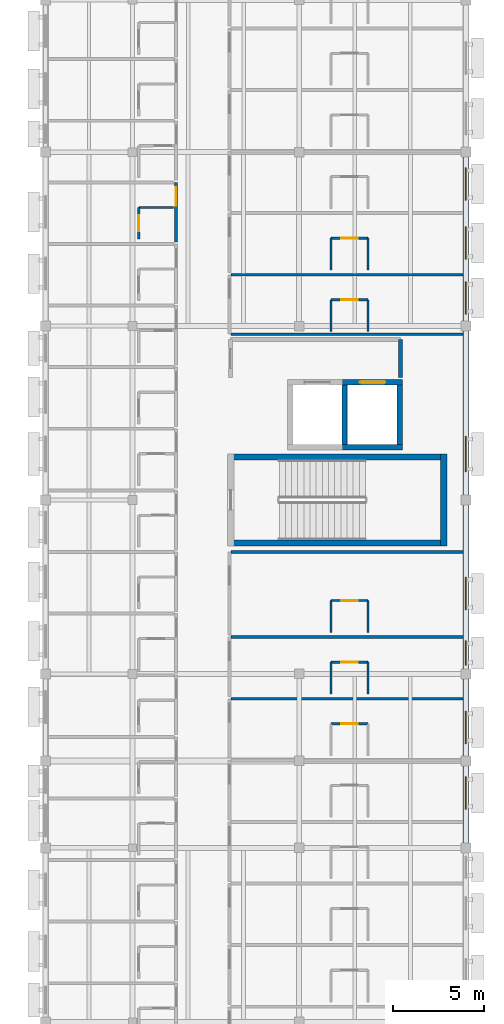
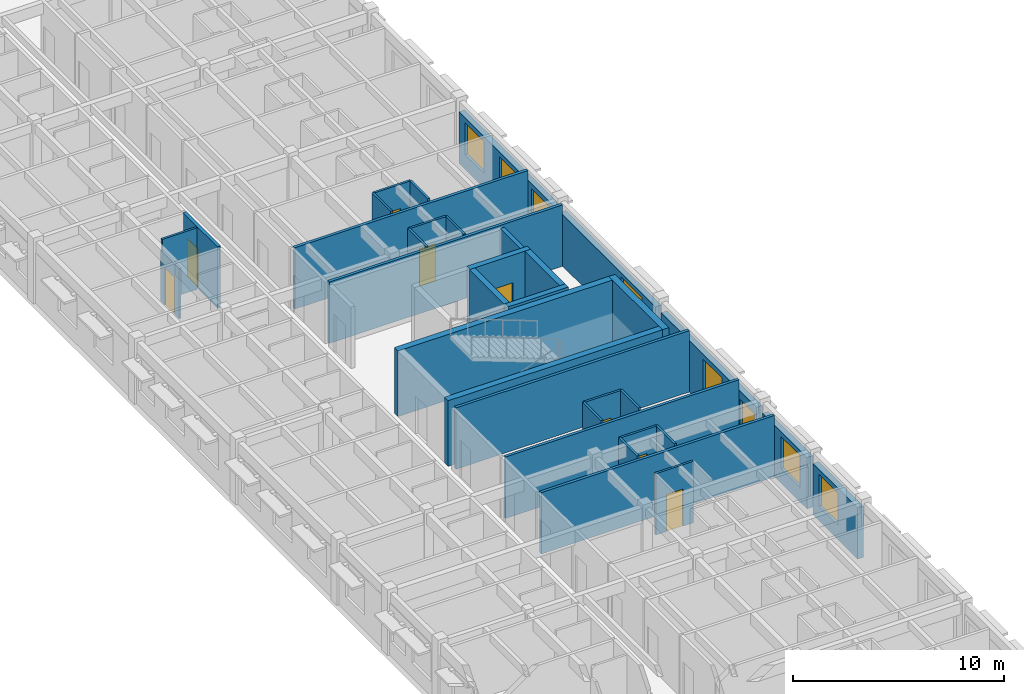
# One storey, part 29 of 40: 34 walls, 8 doors, 8 windows, 16 openings.
"""IFC4 building model written with IfcOpenShell, lengths in metres."""

from ifc_helpers import new_model, si_unit, direction, frame, frame_2d, origin, place, context, subcontext, project, spatial, rectangle, extrude, material, layer, layer_set, type_object, element, fill, save


model = new_model("IFC4")

# Units and contexts
model_context = context("Model", 3, precision=1e-05, world=origin(), true_north=direction((0.0, 1.0)))
body_context = subcontext(model_context, "Body", "Model", "MODEL_VIEW")
ifc_project = project(units=[si_unit("LENGTHUNIT", "METRE"), si_unit("AREAUNIT", "SQUARE_METRE"), si_unit("VOLUMEUNIT", "CUBIC_METRE"), si_unit("PLANEANGLEUNIT", "RADIAN"), si_unit("MASSUNIT", "GRAM", prefix="KILO")], contexts=[model_context])

# Site, building, storey
site_placement = place(None, origin())
site = spatial("IfcSite", under=ifc_project, at=site_placement, CompositionType="ELEMENT")
building_placement = place(site_placement, origin())
building = spatial("IfcBuilding", under=site, at=building_placement, Name="Veldera Park Congress Hotel", CompositionType="ELEMENT")
storey_placement = place(building_placement, frame((0.0, 0.0, 16.199951171875)))
storey = spatial("IfcBuildingStorey", under=building, at=storey_placement, Name="L03", CompositionType="ELEMENT", Elevation=16.199951171875)

# Wall, opening, window
ifc_material_1 = material(Name="Cross-laminated timber CLT V2M1.1", Category="wood")
ifc_layer_1 = layer(ifc_material_1, 0.320068359375)
ifc_layer_set_1 = layer_set([ifc_layer_1], Name="Cross-laminated timber CLT V2M1.1")
wall_type_1 = type_object("IfcWallType", Name="EW-CLT320", PredefinedType="STANDARD", material=ifc_layer_set_1)
wall_1_placement = place(storey_placement, frame((84.0, -27.922119140625, 0.0), z_axis=(0.0, 0.0, 1.0), x_axis=(0.0, 1.0, 0.0)))
wall_1 = element("IfcWall", 1, at=wall_1_placement, inside=storey, type_object=wall_type_1, Name="L03 Exterior Wall EW3-L03-0213", PredefinedType="STANDARD", context=body_context, shape_type="SweptSolid", body=[
    extrude(rectangle(XDim=4.244140625, YDim=0.320068359375, at=frame_2d((2.1220703125, 0.0))), origin(), (0.0, 0.0, 1.0), 2.97509765625),
])
opening_1_placement = place(wall_1_placement, frame((1.85791015625, 0.0, 0.85009765625)))
opening_1 = element("IfcOpeningElement", 2, at=opening_1_placement, cuts=wall_1, Name="Opening WIN-1800", PredefinedType="OPENING", context=body_context, shape_type="SweptSolid", body=[
    extrude(rectangle(XDim=1.800048828125, YDim=1.85009765625, at=frame_2d((0.89990234375, 0.925048828125))), frame((0.0, 0.172119140625, 0.0), z_axis=(0.0, -1.0, 0.0), x_axis=(1.0, 0.0, 0.0)), (0.0, 0.0, 1.0), 0.343994140625),
])
ifc_material_2 = material(Name="Low-E Triple Insulating Glass Unit (SHGC 0.22)", Category="glass")
window_type_1 = type_object("IfcWindowType", Name="WIN-1800", PartitioningType="SINGLE_PANEL", PredefinedType="WINDOW", material=ifc_material_2)
window_1_placement = place(opening_1_placement, origin())
window_1 = element("IfcWindow", 3, at=window_1_placement, inside=storey, type_object=window_type_1, Name="L03 Window WIN-1800 424", OverallHeight=1.85009765625, OverallWidth=1.800048828125, PartitioningType="SINGLE_PANEL", PredefinedType="WINDOW", context=body_context, shape_type="SweptSolid", body=[
    extrude(rectangle(XDim=1.800048828125, YDim=1.85009765625, at=frame_2d((0.89990234375, 0.925048828125))), frame((0.0, 0.030029296875, 0.0), z_axis=(0.0, -1.0, 0.0), x_axis=(1.0, 0.0, 0.0)), (0.0, 0.0, 1.0), 0.06005859375),
])
fill(opening_1, window_1)

wall_2_placement = place(storey_placement, frame((84.0, -23.1220703125, 0.0), z_axis=(0.0, 0.0, 1.0), x_axis=(0.0, 1.0, 0.0)))
wall_2 = element("IfcWall", 4, at=wall_2_placement, inside=storey, type_object=wall_type_1, Name="L03 Exterior Wall EW3-L03-0214", PredefinedType="STANDARD", context=body_context, shape_type="SweptSolid", body=[
    extrude(rectangle(XDim=4.244140625, YDim=0.320068359375, at=frame_2d((2.1220703125, 0.0))), origin(), (0.0, 0.0, 1.0), 2.97509765625),
])
opening_2_placement = place(wall_2_placement, frame((0.676025390625, 0.0, 0.85009765625)))
opening_2 = element("IfcOpeningElement", 5, at=opening_2_placement, cuts=wall_2, Name="Opening WIN-1800", PredefinedType="OPENING", context=body_context, shape_type="SweptSolid", body=[
    extrude(rectangle(XDim=1.800048828125, YDim=1.85009765625, at=frame_2d((0.89990234375, 0.925048828125))), frame((0.0, 0.172119140625, 0.0), z_axis=(0.0, -1.0, 0.0), x_axis=(1.0, 0.0, 0.0)), (0.0, 0.0, 1.0), 0.343994140625),
])
window_2_placement = place(opening_2_placement, origin())
window_2 = element("IfcWindow", 6, at=window_2_placement, inside=storey, type_object=window_type_1, Name="L03 Window WIN-1800 425", OverallHeight=1.85009765625, OverallWidth=1.800048828125, PartitioningType="SINGLE_PANEL", PredefinedType="WINDOW", context=body_context, shape_type="SweptSolid", body=[
    extrude(rectangle(XDim=1.800048828125, YDim=1.85009765625, at=frame_2d((0.89990234375, 0.925048828125))), frame((0.0, 0.030029296875, 0.0), z_axis=(0.0, -1.0, 0.0), x_axis=(1.0, 0.0, 0.0)), (0.0, 0.0, 1.0), 0.06005859375),
])
fill(opening_2, window_2)

# Wall, openings, windows
wall_3_placement = place(storey_placement, frame((84.0, -18.322021484375, 0.0), z_axis=(0.0, 0.0, 1.0), x_axis=(0.0, 1.0, 0.0)))
wall_3 = element("IfcWall", 7, at=wall_3_placement, inside=storey, type_object=wall_type_1, Name="L03 Exterior Wall EW3-L03-0215", PredefinedType="STANDARD", context=body_context, shape_type="SweptSolid", body=[
    extrude(rectangle(XDim=9.0439453125, YDim=0.320068359375, at=frame_2d((4.52197265625, 0.0))), origin(), (0.0, 0.0, 1.0), 2.97509765625),
])
opening_3_placement = place(wall_3_placement, frame((0.200927734375, 0.0, 0.85009765625)))
opening_3 = element("IfcOpeningElement", 8, at=opening_3_placement, cuts=wall_3, Name="Opening WIN-1350", PredefinedType="OPENING", context=body_context, shape_type="SweptSolid", body=[
    extrude(rectangle(XDim=1.35009765625, YDim=1.64990234375, at=frame_2d((0.675048828125, 0.824951171875))), frame((0.0, 0.172119140625, 0.0), z_axis=(0.0, -1.0, 0.0), x_axis=(1.0, 0.0, 0.0)), (0.0, 0.0, 1.0), 0.343994140625),
])
opening_4_placement = place(wall_3_placement, frame((3.261962890625, 0.0, 0.85009765625)))
opening_4 = element("IfcOpeningElement", 9, at=opening_4_placement, cuts=wall_3, Name="Opening WIN-1800", PredefinedType="OPENING", context=body_context, shape_type="SweptSolid", body=[
    extrude(rectangle(XDim=1.800048828125, YDim=1.85009765625, at=frame_2d((0.89990234375, 0.925048828125))), frame((0.0, 0.172119140625, 0.0), z_axis=(0.0, -1.0, 0.0), x_axis=(1.0, 0.0, 0.0)), (0.0, 0.0, 1.0), 0.343994140625),
])
window_type_2 = type_object("IfcWindowType", Name="WIN-1350", PartitioningType="SINGLE_PANEL", PredefinedType="WINDOW", material=ifc_material_2)
window_3_placement = place(opening_3_placement, origin())
window_3 = element("IfcWindow", 10, at=window_3_placement, inside=storey, type_object=window_type_2, Name="L03 Window WIN-1350 426", OverallHeight=1.64990234375, OverallWidth=1.35009765625, PartitioningType="SINGLE_PANEL", PredefinedType="WINDOW", context=body_context, shape_type="SweptSolid", body=[
    extrude(rectangle(XDim=1.35009765625, YDim=1.64990234375, at=frame_2d((0.675048828125, 0.824951171875))), frame((0.0, 0.030029296875, 0.0), z_axis=(0.0, -1.0, 0.0), x_axis=(1.0, 0.0, 0.0)), (0.0, 0.0, 1.0), 0.06005859375),
])
fill(opening_3, window_3)
window_4_placement = place(opening_4_placement, origin())
window_4 = element("IfcWindow", 11, at=window_4_placement, inside=storey, type_object=window_type_1, Name="L03 Window WIN-1800 427", OverallHeight=1.85009765625, OverallWidth=1.800048828125, PartitioningType="SINGLE_PANEL", PredefinedType="WINDOW", context=body_context, shape_type="SweptSolid", body=[
    extrude(rectangle(XDim=1.800048828125, YDim=1.85009765625, at=frame_2d((0.89990234375, 0.925048828125))), frame((0.0, 0.030029296875, 0.0), z_axis=(0.0, -1.0, 0.0), x_axis=(1.0, 0.0, 0.0)), (0.0, 0.0, 1.0), 0.06005859375),
])
fill(opening_4, window_4)

# Wall, opening, window
wall_4_placement = place(storey_placement, frame((84.0, -8.721923828125, 0.0), z_axis=(0.0, 0.0, 1.0), x_axis=(0.0, 1.0, 0.0)))
wall_4 = element("IfcWall", 12, at=wall_4_placement, inside=storey, type_object=wall_type_1, Name="L03 Exterior Wall EW3-L03-0216", PredefinedType="STANDARD", context=body_context, shape_type="SweptSolid", body=[
    extrude(rectangle(XDim=9.0439453125, YDim=0.320068359375, at=frame_2d((4.52197265625, 0.0))), origin(), (0.0, 0.0, 1.0), 2.97509765625),
])
opening_5_placement = place(wall_4_placement, frame((1.285888671875, 0.0, 0.85009765625)))
opening_5 = element("IfcOpeningElement", 13, at=opening_5_placement, cuts=wall_4, Name="Opening WIN-1950", PredefinedType="OPENING", context=body_context, shape_type="SweptSolid", body=[
    extrude(rectangle(XDim=1.949951171875, YDim=1.89990234375, at=frame_2d((0.97509765625, 0.949951171875))), frame((0.0, 0.172119140625, 0.0), z_axis=(0.0, -1.0, 0.0), x_axis=(1.0, 0.0, 0.0)), (0.0, 0.0, 1.0), 0.343994140625),
])
window_type_3 = type_object("IfcWindowType", Name="WIN-1950", PartitioningType="DOUBLE_PANEL_VERTICAL", PredefinedType="WINDOW", material=ifc_material_2)
window_5_placement = place(opening_5_placement, origin())
window_5 = element("IfcWindow", 14, at=window_5_placement, inside=storey, type_object=window_type_3, Name="L03 Window WIN-1950 188", OverallHeight=1.89990234375, OverallWidth=1.949951171875, PartitioningType="DOUBLE_PANEL_VERTICAL", PredefinedType="WINDOW", context=body_context, shape_type="SweptSolid", body=[
    extrude(rectangle(XDim=1.949951171875, YDim=1.89990234375, at=frame_2d((0.97509765625, 0.949951171875))), frame((0.0, 0.030029296875, 0.0), z_axis=(0.0, -1.0, 0.0), x_axis=(1.0, 0.0, 0.0)), (0.0, 0.0, 1.0), 0.06005859375),
])
fill(opening_5, window_5)

# Wall, openings, windows
wall_5_placement = place(storey_placement, frame((84.0, 0.8779296875, 0.0), z_axis=(0.0, 0.0, 1.0), x_axis=(0.0, 1.0, 0.0)))
wall_5 = element("IfcWall", 15, at=wall_5_placement, inside=storey, type_object=wall_type_1, Name="L03 Exterior Wall EW3-L03-0217", PredefinedType="STANDARD", context=body_context, shape_type="SweptSolid", body=[
    extrude(rectangle(XDim=9.044189453125, YDim=0.320068359375, at=frame_2d((4.52197265625, 0.0))), origin(), (0.0, 0.0, 1.0), 2.97509765625),
])
opening_6_placement = place(wall_5_placement, frame((0.3759765625, 0.0, 0.85009765625)))
opening_6 = element("IfcOpeningElement", 16, at=opening_6_placement, cuts=wall_5, Name="Opening WIN-1800", PredefinedType="OPENING", context=body_context, shape_type="SweptSolid", body=[
    extrude(rectangle(XDim=1.800048828125, YDim=1.85009765625, at=frame_2d((0.89990234375, 0.925048828125))), frame((0.0, 0.172119140625, 0.0), z_axis=(0.0, -1.0, 0.0), x_axis=(1.0, 0.0, 0.0)), (0.0, 0.0, 1.0), 0.343994140625),
])
opening_7_placement = place(wall_5_placement, frame((3.412109375, 0.0, 0.85009765625)))
opening_7 = element("IfcOpeningElement", 17, at=opening_7_placement, cuts=wall_5, Name="Opening WIN-1800", PredefinedType="OPENING", context=body_context, shape_type="SweptSolid", body=[
    extrude(rectangle(XDim=1.800048828125, YDim=1.85009765625, at=frame_2d((0.89990234375, 0.925048828125))), frame((0.0, 0.172119140625, 0.0), z_axis=(0.0, -1.0, 0.0), x_axis=(1.0, 0.0, 0.0)), (0.0, 0.0, 1.0), 0.343994140625),
])
opening_8_placement = place(wall_5_placement, frame((6.657958984375, 0.0, 0.85009765625)))
opening_8 = element("IfcOpeningElement", 18, at=opening_8_placement, cuts=wall_5, Name="Opening WIN-1800", PredefinedType="OPENING", context=body_context, shape_type="SweptSolid", body=[
    extrude(rectangle(XDim=1.800048828125, YDim=1.85009765625, at=frame_2d((0.89990234375, 0.925048828125))), frame((0.0, 0.172119140625, 0.0), z_axis=(0.0, -1.0, 0.0), x_axis=(1.0, 0.0, 0.0)), (0.0, 0.0, 1.0), 0.343994140625),
])
window_6_placement = place(opening_6_placement, origin())
window_6 = element("IfcWindow", 19, at=window_6_placement, inside=storey, type_object=window_type_1, Name="L03 Window WIN-1800 428", OverallHeight=1.85009765625, OverallWidth=1.800048828125, PartitioningType="SINGLE_PANEL", PredefinedType="WINDOW", context=body_context, shape_type="SweptSolid", body=[
    extrude(rectangle(XDim=1.800048828125, YDim=1.85009765625, at=frame_2d((0.89990234375, 0.925048828125))), frame((0.0, 0.030029296875, 0.0), z_axis=(0.0, -1.0, 0.0), x_axis=(1.0, 0.0, 0.0)), (0.0, 0.0, 1.0), 0.06005859375),
])
fill(opening_6, window_6)
window_7_placement = place(opening_7_placement, origin())
window_7 = element("IfcWindow", 20, at=window_7_placement, inside=storey, type_object=window_type_1, Name="L03 Window WIN-1800 429", OverallHeight=1.85009765625, OverallWidth=1.800048828125, PartitioningType="SINGLE_PANEL", PredefinedType="WINDOW", context=body_context, shape_type="SweptSolid", body=[
    extrude(rectangle(XDim=1.800048828125, YDim=1.85009765625, at=frame_2d((0.89990234375, 0.925048828125))), frame((0.0, 0.030029296875, 0.0), z_axis=(0.0, -1.0, 0.0), x_axis=(1.0, 0.0, 0.0)), (0.0, 0.0, 1.0), 0.06005859375),
])
fill(opening_7, window_7)
window_8_placement = place(opening_8_placement, origin())
window_8 = element("IfcWindow", 21, at=window_8_placement, inside=storey, type_object=window_type_1, Name="L03 Window WIN-1800 430", OverallHeight=1.85009765625, OverallWidth=1.800048828125, PartitioningType="SINGLE_PANEL", PredefinedType="WINDOW", context=body_context, shape_type="SweptSolid", body=[
    extrude(rectangle(XDim=1.800048828125, YDim=1.85009765625, at=frame_2d((0.89990234375, 0.925048828125))), frame((0.0, 0.030029296875, 0.0), z_axis=(0.0, -1.0, 0.0), x_axis=(1.0, 0.0, 0.0)), (0.0, 0.0, 1.0), 0.06005859375),
])
fill(opening_8, window_8)

# Wall, opening, door
ifc_material_3 = material(Name="Fire-Rated Gypsum Board on Cold-Formed Steel Studs", Category="steel")
ifc_layer_2 = layer(ifc_material_3, 0.1201171875)
ifc_layer_set_2 = layer_set([ifc_layer_2], Name="Fire-Rated Gypsum Board on Cold-Formed Steel Studs")
wall_type_2 = type_object("IfcWallType", Name="IW-BATH120", PredefinedType="PARTITIONING", material=ifc_layer_set_2)
wall_6_placement = place(storey_placement, frame((65.949951171875, 5.39990234375, 0.0), z_axis=(0.0, 0.0, 1.0), x_axis=(0.0, 1.0, 0.0)))
wall_6 = element("IfcWall", 22, at=wall_6_placement, inside=storey, type_object=wall_type_2, Name="L03 Partition Wall IW3-L03-00642", PredefinedType="PARTITIONING", context=body_context, shape_type="SweptSolid", body=[
    extrude(rectangle(XDim=1.75, YDim=0.1201171875, at=frame_2d((0.875, 0.0))), origin(), (0.0, 0.0, 1.0), 2.9150390625),
])
opening_9_placement = place(wall_6_placement, frame((0.425048828125, 0.0, 0.0)))
opening_9 = element("IfcOpeningElement", 23, at=opening_9_placement, cuts=wall_6, Name="Opening ID-BATH090", PredefinedType="OPENING", context=body_context, shape_type="SweptSolid", body=[
    extrude(rectangle(XDim=0.89990234375, YDim=2.14990234375, at=frame_2d((0.449951171875, 1.074951171875))), frame((0.0, 0.072021484375, 0.0), z_axis=(0.0, -1.0, 0.0), x_axis=(1.0, 0.0, 0.0)), (0.0, 0.0, 1.0), 0.14404296875),
])
ifc_material_4 = material(Name="Solid Core White Oak Architectural Door", Category="wood")
door_type_1 = type_object("IfcDoorType", Name="ID-BATH090", OperationType="NOTDEFINED", PredefinedType="DOOR", material=ifc_material_4)
door_1_placement = place(opening_9_placement, origin())
door_1 = element("IfcDoor", 24, at=door_1_placement, inside=storey, type_object=door_type_1, Name="L03 En-suite 062 Door ID3-L03-0263 (DR3-ID3-L03-0263)", OperationType="SINGLE_SWING_LEFT", OverallHeight=2.14990234375, OverallWidth=0.89990234375, PredefinedType="DOOR", context=body_context, shape_type="SweptSolid", body=[
    extrude(rectangle(XDim=0.89990234375, YDim=2.14990234375, at=frame_2d((0.449951171875, 1.074951171875))), frame((0.0, 0.02490234375, 0.0), z_axis=(0.0, -1.0, 0.0), x_axis=(1.0, 0.0, 0.0)), (0.0, 0.0, 1.0), 0.050048828125),
])
fill(opening_9, door_1)

# Wall
wall_7_placement = place(storey_placement, frame((65.949951171875, 7.14990234375, 0.0), z_axis=(0.0, 0.0, 1.0), x_axis=(1.0, 0.0, 0.0)))
element("IfcWall", 25, at=wall_7_placement, inside=storey, type_object=wall_type_2, Name="L03 Partition Wall IW3-L03-00643", PredefinedType="PARTITIONING", context=body_context, shape_type="SweptSolid", body=[
    extrude(rectangle(XDim=1.900146484375, YDim=0.1201171875, at=frame_2d((0.9501953125, 0.0))), origin(), (0.0, 0.0, 1.0), 3.56005859375),
])

# Wall, opening, door
wall_8_placement = place(storey_placement, frame((76.550048828125, -21.35009765625, 0.0), z_axis=(0.0, 0.0, 1.0), x_axis=(1.0, 0.0, 0.0)))
wall_8 = element("IfcWall", 26, at=wall_8_placement, inside=storey, type_object=wall_type_2, Name="L03 Partition Wall IW3-L03-00708", PredefinedType="PARTITIONING", context=body_context, shape_type="SweptSolid", body=[
    extrude(rectangle(XDim=2.050048828125, YDim=0.1201171875, at=frame_2d((1.02490234375, 0.0))), origin(), (0.0, 0.0, 1.0), 3.56005859375),
])
opening_10_placement = place(wall_8_placement, frame((0.574951171875, 0.0, 0.0)))
opening_10 = element("IfcOpeningElement", 27, at=opening_10_placement, cuts=wall_8, Name="Opening ID-BATH090", PredefinedType="OPENING", context=body_context, shape_type="SweptSolid", body=[
    extrude(rectangle(XDim=0.89990234375, YDim=2.14990234375, at=frame_2d((0.449951171875, 1.074951171875))), frame((0.0, 0.072021484375, 0.0), z_axis=(0.0, -1.0, 0.0), x_axis=(1.0, 0.0, 0.0)), (0.0, 0.0, 1.0), 0.14404296875),
])
door_2_placement = place(opening_10_placement, origin())
door_2 = element("IfcDoor", 28, at=door_2_placement, inside=storey, type_object=door_type_1, Name="L03 En-suite 076 Door ID3-L03-0291 (DR3-ID3-L03-0291)", OperationType="SINGLE_SWING_LEFT", OverallHeight=2.14990234375, OverallWidth=0.89990234375, PredefinedType="DOOR", context=body_context, shape_type="SweptSolid", body=[
    extrude(rectangle(XDim=0.89990234375, YDim=2.14990234375, at=frame_2d((0.449951171875, 1.074951171875))), frame((0.0, 0.02490234375, 0.0), z_axis=(0.0, -1.0, 0.0), x_axis=(1.0, 0.0, 0.0)), (0.0, 0.0, 1.0), 0.050048828125),
])
fill(opening_10, door_2)

# Walls
for number, where, z_axis, x_axis, name in (
    (29, (76.550048828125, -19.699951171875, 0.0), (0.0, 0.0, 1.0), (0.0, 1.0, 0.0), "L03 Partition Wall IW3-L03-00711"),
    (30, (78.60009765625, -19.699951171875, 0.0), (0.0, 0.0, 1.0), (0.0, 1.0, 0.0), "L03 Partition Wall IW3-L03-00712"),
):
    element("IfcWall", number, at=place(storey_placement, frame(where, z_axis=z_axis, x_axis=x_axis)), inside=storey, type_object=wall_type_2, Name=name, PredefinedType="PARTITIONING", context=body_context, shape_type="SweptSolid", body=[
        extrude(rectangle(XDim=1.75, YDim=0.1201171875, at=frame_2d((0.875, 0.0))), origin(), (0.0, 0.0, 1.0), 3.56005859375),
    ])

# Wall, opening, door
wall_9_placement = place(storey_placement, frame((76.550048828125, -17.949951171875, 0.0), z_axis=(0.0, 0.0, 1.0), x_axis=(1.0, 0.0, 0.0)))
wall_9 = element("IfcWall", 31, at=wall_9_placement, inside=storey, type_object=wall_type_2, Name="L03 Partition Wall IW3-L03-00713", PredefinedType="PARTITIONING", context=body_context, shape_type="SweptSolid", body=[
    extrude(rectangle(XDim=2.050048828125, YDim=0.1201171875, at=frame_2d((1.02490234375, 0.0))), origin(), (0.0, 0.0, 1.0), 3.56005859375),
])
opening_11_placement = place(wall_9_placement, frame((0.574951171875, 0.0, 0.0)))
opening_11 = element("IfcOpeningElement", 32, at=opening_11_placement, cuts=wall_9, Name="Opening ID-BATH090", PredefinedType="OPENING", context=body_context, shape_type="SweptSolid", body=[
    extrude(rectangle(XDim=0.89990234375, YDim=2.14990234375, at=frame_2d((0.449951171875, 1.074951171875))), frame((0.0, 0.072021484375, 0.0), z_axis=(0.0, -1.0, 0.0), x_axis=(1.0, 0.0, 0.0)), (0.0, 0.0, 1.0), 0.14404296875),
])
door_3_placement = place(opening_11_placement, origin())
door_3 = element("IfcDoor", 33, at=door_3_placement, inside=storey, type_object=door_type_1, Name="L03 En-suite 077 Door ID3-L03-0293 (DR3-ID3-L03-0293)", OperationType="SINGLE_SWING_LEFT", OverallHeight=2.14990234375, OverallWidth=0.89990234375, PredefinedType="DOOR", context=body_context, shape_type="SweptSolid", body=[
    extrude(rectangle(XDim=0.89990234375, YDim=2.14990234375, at=frame_2d((0.449951171875, 1.074951171875))), frame((0.0, 0.02490234375, 0.0), z_axis=(0.0, -1.0, 0.0), x_axis=(1.0, 0.0, 0.0)), (0.0, 0.0, 1.0), 0.050048828125),
])
fill(opening_11, door_3)

# Walls
for number, where, z_axis, x_axis, name in (
    (34, (76.550048828125, -16.300048828125, 0.0), (0.0, 0.0, 1.0), (0.0, 1.0, 0.0), "L03 Partition Wall IW3-L03-00716"),
    (35, (78.60009765625, -16.300048828125, 0.0), (0.0, 0.0, 1.0), (0.0, 1.0, 0.0), "L03 Partition Wall IW3-L03-00717"),
):
    element("IfcWall", number, at=place(storey_placement, frame(where, z_axis=z_axis, x_axis=x_axis)), inside=storey, type_object=wall_type_2, Name=name, PredefinedType="PARTITIONING", context=body_context, shape_type="SweptSolid", body=[
        extrude(rectangle(XDim=1.75, YDim=0.1201171875, at=frame_2d((0.875, 0.0))), origin(), (0.0, 0.0, 1.0), 3.56005859375),
    ])

# Wall, opening, door
wall_10_placement = place(storey_placement, frame((76.550048828125, -14.550048828125, 0.0), z_axis=(0.0, 0.0, 1.0), x_axis=(1.0, 0.0, 0.0)))
wall_10 = element("IfcWall", 36, at=wall_10_placement, inside=storey, type_object=wall_type_2, Name="L03 Partition Wall IW3-L03-00718", PredefinedType="PARTITIONING", context=body_context, shape_type="SweptSolid", body=[
    extrude(rectangle(XDim=2.050048828125, YDim=0.1201171875, at=frame_2d((1.02490234375, 0.0))), origin(), (0.0, 0.0, 1.0), 3.56005859375),
])
opening_12_placement = place(wall_10_placement, frame((0.574951171875, 0.0, 0.0)))
opening_12 = element("IfcOpeningElement", 37, at=opening_12_placement, cuts=wall_10, Name="Opening ID-BATH090", PredefinedType="OPENING", context=body_context, shape_type="SweptSolid", body=[
    extrude(rectangle(XDim=0.89990234375, YDim=2.14990234375, at=frame_2d((0.449951171875, 1.074951171875))), frame((0.0, 0.072021484375, 0.0), z_axis=(0.0, -1.0, 0.0), x_axis=(1.0, 0.0, 0.0)), (0.0, 0.0, 1.0), 0.14404296875),
])
door_4_placement = place(opening_12_placement, origin())
door_4 = element("IfcDoor", 38, at=door_4_placement, inside=storey, type_object=door_type_1, Name="L03 En-suite 078 Door ID3-L03-0295 (DR3-ID3-L03-0295)", OperationType="SINGLE_SWING_LEFT", OverallHeight=2.14990234375, OverallWidth=0.89990234375, PredefinedType="DOOR", context=body_context, shape_type="SweptSolid", body=[
    extrude(rectangle(XDim=0.89990234375, YDim=2.14990234375, at=frame_2d((0.449951171875, 1.074951171875))), frame((0.0, 0.02490234375, 0.0), z_axis=(0.0, -1.0, 0.0), x_axis=(1.0, 0.0, 0.0)), (0.0, 0.0, 1.0), 0.050048828125),
])
fill(opening_12, door_4)

# Walls
for number, where, z_axis, x_axis, name in (
    (39, (76.550048828125, 0.300048828125, 0.0), (0.0, 0.0, 1.0), (0.0, 1.0, 0.0), "L03 Partition Wall IW3-L03-00722"),
    (40, (78.60009765625, 0.300048828125, 0.0), (0.0, 0.0, 1.0), (0.0, 1.0, 0.0), "L03 Partition Wall IW3-L03-00723"),
):
    element("IfcWall", number, at=place(storey_placement, frame(where, z_axis=z_axis, x_axis=x_axis)), inside=storey, type_object=wall_type_2, Name=name, PredefinedType="PARTITIONING", context=body_context, shape_type="SweptSolid", body=[
        extrude(rectangle(XDim=1.75, YDim=0.1201171875, at=frame_2d((0.875, 0.0))), origin(), (0.0, 0.0, 1.0), 3.56005859375),
    ])

# Wall, opening, door
wall_11_placement = place(storey_placement, frame((76.550048828125, 2.050048828125, 0.0), z_axis=(0.0, 0.0, 1.0), x_axis=(1.0, 0.0, 0.0)))
wall_11 = element("IfcWall", 41, at=wall_11_placement, inside=storey, type_object=wall_type_2, Name="L03 Partition Wall IW3-L03-00724", PredefinedType="PARTITIONING", context=body_context, shape_type="SweptSolid", body=[
    extrude(rectangle(XDim=2.050048828125, YDim=0.1201171875, at=frame_2d((1.02490234375, 0.0))), origin(), (0.0, 0.0, 1.0), 3.56005859375),
])
opening_13_placement = place(wall_11_placement, frame((0.574951171875, 0.0, 0.0)))
opening_13 = element("IfcOpeningElement", 42, at=opening_13_placement, cuts=wall_11, Name="Opening ID-BATH090", PredefinedType="OPENING", context=body_context, shape_type="SweptSolid", body=[
    extrude(rectangle(XDim=0.89990234375, YDim=2.14990234375, at=frame_2d((0.449951171875, 1.074951171875))), frame((0.0, 0.072021484375, 0.0), z_axis=(0.0, -1.0, 0.0), x_axis=(1.0, 0.0, 0.0)), (0.0, 0.0, 1.0), 0.14404296875),
])
door_5_placement = place(opening_13_placement, origin())
door_5 = element("IfcDoor", 43, at=door_5_placement, inside=storey, type_object=door_type_1, Name="L03 En-suite 079 Door ID3-L03-0297 (DR3-ID3-L03-0297)", OperationType="SINGLE_SWING_LEFT", OverallHeight=2.14990234375, OverallWidth=0.89990234375, PredefinedType="DOOR", context=body_context, shape_type="SweptSolid", body=[
    extrude(rectangle(XDim=0.89990234375, YDim=2.14990234375, at=frame_2d((0.449951171875, 1.074951171875))), frame((0.0, 0.02490234375, 0.0), z_axis=(0.0, -1.0, 0.0), x_axis=(1.0, 0.0, 0.0)), (0.0, 0.0, 1.0), 0.050048828125),
])
fill(opening_13, door_5)

# Walls
for number, where, z_axis, x_axis, name in (
    (44, (76.550048828125, 3.699951171875, 0.0), (0.0, 0.0, 1.0), (0.0, 1.0, 0.0), "L03 Partition Wall IW3-L03-00727"),
    (45, (78.60009765625, 3.699951171875, 0.0), (0.0, 0.0, 1.0), (0.0, 1.0, 0.0), "L03 Partition Wall IW3-L03-00728"),
):
    element("IfcWall", number, at=place(storey_placement, frame(where, z_axis=z_axis, x_axis=x_axis)), inside=storey, type_object=wall_type_2, Name=name, PredefinedType="PARTITIONING", context=body_context, shape_type="SweptSolid", body=[
        extrude(rectangle(XDim=1.75, YDim=0.1201171875, at=frame_2d((0.875, 0.0))), origin(), (0.0, 0.0, 1.0), 3.56005859375),
    ])

# Wall, opening, door
wall_12_placement = place(storey_placement, frame((76.550048828125, 5.449951171875, 0.0), z_axis=(0.0, 0.0, 1.0), x_axis=(1.0, 0.0, 0.0)))
wall_12 = element("IfcWall", 46, at=wall_12_placement, inside=storey, type_object=wall_type_2, Name="L03 Partition Wall IW3-L03-00729", PredefinedType="PARTITIONING", context=body_context, shape_type="SweptSolid", body=[
    extrude(rectangle(XDim=2.050048828125, YDim=0.1201171875, at=frame_2d((1.02490234375, 0.0))), origin(), (0.0, 0.0, 1.0), 3.56005859375),
])
opening_14_placement = place(wall_12_placement, frame((0.574951171875, 0.0, 0.0)))
opening_14 = element("IfcOpeningElement", 47, at=opening_14_placement, cuts=wall_12, Name="Opening ID-BATH090", PredefinedType="OPENING", context=body_context, shape_type="SweptSolid", body=[
    extrude(rectangle(XDim=0.89990234375, YDim=2.14990234375, at=frame_2d((0.449951171875, 1.074951171875))), frame((0.0, 0.072021484375, 0.0), z_axis=(0.0, -1.0, 0.0), x_axis=(1.0, 0.0, 0.0)), (0.0, 0.0, 1.0), 0.14404296875),
])
door_6_placement = place(opening_14_placement, origin())
door_6 = element("IfcDoor", 48, at=door_6_placement, inside=storey, type_object=door_type_1, Name="L03 En-suite 080 Door ID3-L03-0299 (DR3-ID3-L03-0299)", OperationType="SINGLE_SWING_LEFT", OverallHeight=2.14990234375, OverallWidth=0.89990234375, PredefinedType="DOOR", context=body_context, shape_type="SweptSolid", body=[
    extrude(rectangle(XDim=0.89990234375, YDim=2.14990234375, at=frame_2d((0.449951171875, 1.074951171875))), frame((0.0, 0.02490234375, 0.0), z_axis=(0.0, -1.0, 0.0), x_axis=(1.0, 0.0, 0.0)), (0.0, 0.0, 1.0), 0.050048828125),
])
fill(opening_14, door_6)

ifc_layer_3 = layer(ifc_material_3, 0.179931640625)
ifc_layer_set_3 = layer_set([ifc_layer_3], Name="Fire-Rated Gypsum Board on Cold-Formed Steel Studs")
wall_type_3 = type_object("IfcWallType", Name="IW-CORR180", PredefinedType="PARTITIONING", material=ifc_layer_set_3)
wall_13_placement = place(storey_placement, frame((68.0, 5.25, 0.0), z_axis=(0.0, 0.0, 1.0), x_axis=(0.0, 1.0, 0.0)))
wall_13 = element("IfcWall", 49, at=wall_13_placement, inside=storey, type_object=wall_type_3, Name="L03 Corridor Wall IW3-L03-00640", PredefinedType="PARTITIONING", context=body_context, shape_type="SweptSolid", body=[
    extrude(rectangle(XDim=3.280029296875, YDim=0.179931640625, at=frame_2d((1.64013671875, 0.0))), origin(), (0.0, 0.0, 1.0), 3.56005859375),
])
opening_15_placement = place(wall_13_placement, frame((2.0, 0.0, 0.0)))
opening_15 = element("IfcOpeningElement", 50, at=opening_15_placement, cuts=wall_13, Name="Opening ID-UNIT100", PredefinedType="OPENING", context=body_context, shape_type="SweptSolid", body=[
    extrude(rectangle(XDim=1.0, YDim=2.199951171875, at=frame_2d((0.5, 1.10009765625))), frame((0.0, 0.10205078125, 0.0), z_axis=(0.0, -1.0, 0.0), x_axis=(1.0, 0.0, 0.0)), (0.0, 0.0, 1.0), 0.203857421875),
])
door_type_2 = type_object("IfcDoorType", Name="ID-UNIT100", OperationType="NOTDEFINED", PredefinedType="DOOR", material=ifc_material_4)
door_7_placement = place(opening_15_placement, origin())
door_7 = element("IfcDoor", 51, at=door_7_placement, inside=storey, type_object=door_type_2, Name="L03 Guestroom 062 Entry Door (DR3-UD3-L03-062)", OperationType="SINGLE_SWING_RIGHT", OverallHeight=2.199951171875, OverallWidth=1.0, PredefinedType="DOOR", context=body_context, shape_type="SweptSolid", body=[
    extrude(rectangle(XDim=1.0, YDim=2.199951171875, at=frame_2d((0.5, 1.10009765625))), frame((0.0, 0.02490234375, 0.0), z_axis=(0.0, -1.0, 0.0), x_axis=(1.0, 0.0, 0.0)), (0.0, 0.0, 1.0), 0.050048828125),
])
fill(opening_15, door_7)

# Walls
ifc_material_5 = material(Name="Concrete f'c 40 MPa (5,800 psi)", Category="concrete")
ifc_layer_4 = layer(ifc_material_5, 0.219970703125)
ifc_layer_set_4 = layer_set([ifc_layer_4], Name="Concrete f'c 40 MPa (5,800 psi)")
wall_type_4 = type_object("IfcWallType", Name="IW-FIRE220", PredefinedType="STANDARD", material=ifc_layer_set_4)
wall_14_placement = place(storey_placement, frame((80.39990234375, -2.25, 0.0), z_axis=(0.0, 0.0, 1.0), x_axis=(0.0, 1.0, 0.0)))
element("IfcWall", 52, at=wall_14_placement, inside=storey, type_object=wall_type_4, Name="L03 Partition Wall IW3-L03-00215", PredefinedType="STANDARD", context=body_context, shape_type="SweptSolid", body=[
    extrude(rectangle(XDim=2.10009765625, YDim=0.219970703125, at=frame_2d((1.050048828125, 0.0))), origin(), (0.0, 0.0, 1.0), 3.56005859375),
])
ifc_layer_5 = layer(ifc_material_1, 0.159912109375)
ifc_layer_set_5 = layer_set([ifc_layer_5], Name="Cross-laminated timber CLT V2M1.1")
wall_type_5 = type_object("IfcWallType", Name="IW-UNIT160", PredefinedType="PARTITIONING", material=ifc_layer_set_5)
for number, where, z_axis, x_axis, name in (
    (53, (71.050048828125, -19.969970703125, 0.0), (0.0, 0.0, 1.0), (1.0, 0.0, 0.0), "L03 Partition Wall IW3-L03-00705"),
    (54, (71.050048828125, -16.570068359375, 0.0), (0.0, 0.0, 1.0), (1.0, 0.0, 0.0), "L03 Partition Wall IW3-L03-00710"),
    (55, (71.050048828125, -11.8701171875, 0.0), (0.0, 0.0, 1.0), (1.0, 0.0, 0.0), "L03 Partition Wall IW3-L03-00715"),
    (56, (71.050048828125, 0.14990234375, 0.0), (0.0, 0.0, 1.0), (1.0, 0.0, 0.0), "L03 Partition Wall IW3-L03-00720"),
    (57, (71.050048828125, 3.429931640625, 0.0), (0.0, 0.0, 1.0), (1.0, 0.0, 0.0), "L03 Partition Wall IW3-L03-00721"),
):
    element("IfcWall", number, at=place(storey_placement, frame(where, z_axis=z_axis, x_axis=x_axis)), inside=storey, type_object=wall_type_5, Name=name, PredefinedType="PARTITIONING", context=body_context, shape_type="SweptSolid", body=[
        extrude(rectangle(XDim=12.7900390625, YDim=0.159912109375, at=frame_2d((6.39501953125, 0.0))), origin(), (0.0, 0.0, 1.0), 3.56005859375),
    ])
ifc_layer_6 = layer(ifc_material_5, 0.35009765625)
ifc_layer_set_6 = layer_set([ifc_layer_6], Name="Concrete f'c 40 MPa (5,800 psi)")
wall_type_6 = type_object("IfcWallType", Name="SW-CORE350", PredefinedType="SHEAR", material=ifc_layer_set_6)
wall_15_placement = place(storey_placement, frame((70.85009765625, -11.375, 0.0), z_axis=(0.0, 0.0, 1.0), x_axis=(1.0, 0.0, 0.0)))
element("IfcWall", 58, at=wall_15_placement, inside=storey, type_object=wall_type_6, Name="Stair ST2 Core Wall L03-S", PredefinedType="SHEAR", context=body_context, shape_type="SweptSolid", body=[
    extrude(rectangle(XDim=12.099853515625, YDim=0.35009765625, at=frame_2d((6.0498046875, 0.0))), origin(), (0.0, 0.0, 1.0), 3.800048828125),
])
wall_16_placement = place(storey_placement, frame((82.77490234375, -11.550048828125, 0.0), z_axis=(0.0, 0.0, 1.0), x_axis=(0.0, 1.0, 0.0)))
element("IfcWall", 59, at=wall_16_placement, inside=storey, type_object=wall_type_6, Name="Stair ST2 Core Wall L03-E", PredefinedType="SHEAR", context=body_context, shape_type="SweptSolid", body=[
    extrude(rectangle(XDim=5.10009765625, YDim=0.35009765625, at=frame_2d((2.550048828125, 0.0))), origin(), (0.0, 0.0, 1.0), 3.800048828125),
])
wall_17_placement = place(storey_placement, frame((82.949951171875, -6.625, 0.0), z_axis=(0.0, 0.0, 1.0), x_axis=(-1.0, 0.0, 0.0)))
element("IfcWall", 60, at=wall_17_placement, inside=storey, type_object=wall_type_6, Name="Stair ST2 Core Wall L03-N", PredefinedType="SHEAR", context=body_context, shape_type="SweptSolid", body=[
    extrude(rectangle(XDim=12.099853515625, YDim=0.35009765625, at=frame_2d((6.0498046875, 0.0))), origin(), (0.0, 0.0, 1.0), 3.800048828125),
])
ifc_layer_7 = layer(ifc_material_5, 0.300048828125)
ifc_layer_set_7 = layer_set([ifc_layer_7], Name="Concrete f'c 40 MPa (5,800 psi)")
wall_type_7 = type_object("IfcWallType", Name="SW-SHFT300", PredefinedType="SHEAR", material=ifc_layer_set_7)
for number, where, z_axis, x_axis, name in (
    (61, (77.300048828125, -5.949951171875, 0.0), (0.0, 0.0, 1.0), (0.0, 1.0, 0.0), "Lift SL-01 Shaft Wall L03-E"),
    (62, (77.199951171875, -6.10009765625, 0.0), (0.0, 0.0, 1.0), (1.0, 0.0, 0.0), "Lift SL-02 Shaft Wall L03-S"),
):
    element("IfcWall", number, at=place(storey_placement, frame(where, z_axis=z_axis, x_axis=x_axis)), inside=storey, type_object=wall_type_7, Name=name, PredefinedType="SHEAR", context=body_context, shape_type="SweptSolid", body=[
        extrude(rectangle(XDim=3.300048828125, YDim=0.300048828125, at=frame_2d((1.64990234375, 0.0))), origin(), (0.0, 0.0, 1.0), 3.800048828125),
    ])

# Wall, opening, door
wall_18_placement = place(storey_placement, frame((80.5, -2.5, 0.0), z_axis=(0.0, 0.0, 1.0), x_axis=(-1.0, 0.0, 0.0)))
wall_18 = element("IfcWall", 63, at=wall_18_placement, inside=storey, type_object=wall_type_7, Name="Lift SL-02 Shaft Wall L03-N", PredefinedType="SHEAR", context=body_context, shape_type="SweptSolid", body=[
    extrude(rectangle(XDim=3.300048828125, YDim=0.300048828125, at=frame_2d((1.64990234375, 0.0))), origin(), (0.0, 0.0, 1.0), 3.800048828125),
])
opening_16_placement = place(wall_18_placement, frame((0.949951171875, 0.0, 0.0)))
opening_16 = element("IfcOpeningElement", 64, at=opening_16_placement, cuts=wall_18, Name="Opening LD-140", PredefinedType="OPENING", context=body_context, shape_type="SweptSolid", body=[
    extrude(rectangle(XDim=1.39990234375, YDim=2.199951171875, at=frame_2d((0.699951171875, 1.10009765625))), frame((0.0, 0.162109375, 0.0), z_axis=(0.0, -1.0, 0.0), x_axis=(1.0, 0.0, 0.0)), (0.0, 0.0, 1.0), 0.323974609375),
])
ifc_material_6 = material(Name="Hollow Metal Fire-Rated Steel Door", Category="steel")
door_type_3 = type_object("IfcDoorType", Name="LD-140", OperationType="DOUBLE_DOOR_SLIDING", PredefinedType="DOOR", material=ifc_material_6)
door_8_placement = place(opening_16_placement, origin())
door_8 = element("IfcDoor", 65, at=door_8_placement, inside=storey, type_object=door_type_3, Name="L03 Lift SL-02 Landing Door (DR3-LD-SL-02-L03)", OperationType="DOUBLE_DOOR_SLIDING", OverallHeight=2.199951171875, OverallWidth=1.39990234375, PredefinedType="DOOR", context=body_context, shape_type="SweptSolid", body=[
    extrude(rectangle(XDim=1.39990234375, YDim=2.199951171875, at=frame_2d((0.699951171875, 1.10009765625))), frame((0.0, 0.02490234375, 0.0), z_axis=(0.0, -1.0, 0.0), x_axis=(1.0, 0.0, 0.0)), (0.0, 0.0, 1.0), 0.050048828125),
])
fill(opening_16, door_8)

# Wall
wall_19_placement = place(storey_placement, frame((80.35009765625, -5.949951171875, 0.0), z_axis=(0.0, 0.0, 1.0), x_axis=(0.0, 1.0, 0.0)))
element("IfcWall", 66, at=wall_19_placement, inside=storey, type_object=wall_type_7, Name="Lift SL-02 Shaft Wall L03-E", PredefinedType="SHEAR", context=body_context, shape_type="SweptSolid", body=[
    extrude(rectangle(XDim=3.300048828125, YDim=0.300048828125, at=frame_2d((1.64990234375, 0.0))), origin(), (0.0, 0.0, 1.0), 3.800048828125),
])

save(model, "model.ifc")
